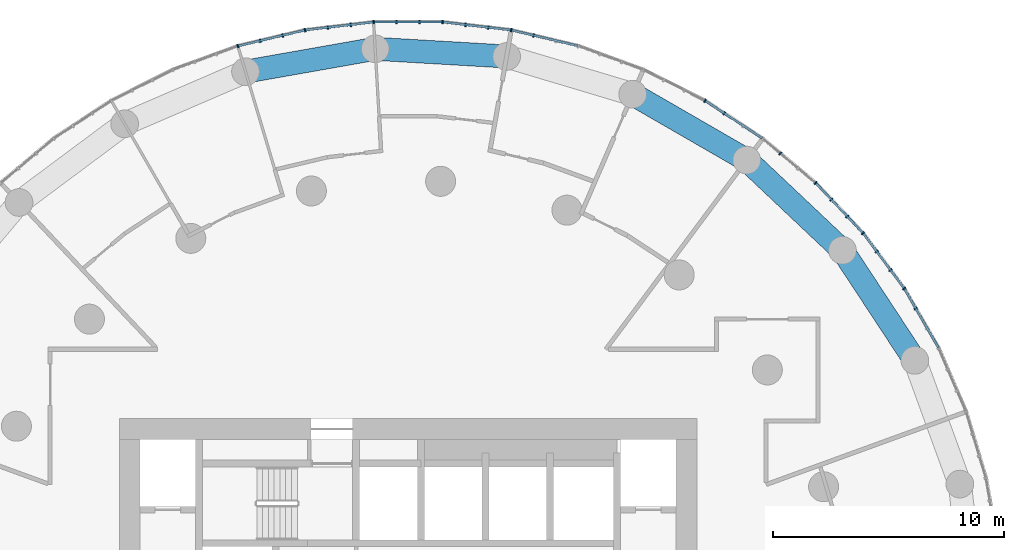
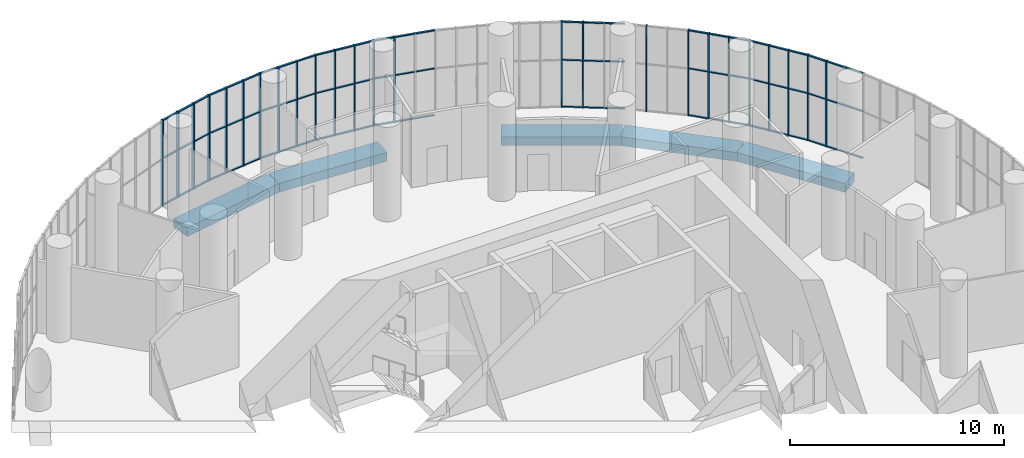
# One storey, part 8 of 21: 52 members, 5 beams, 12 elements without a shape of their own.
"""IFC4 building model written with IfcOpenShell, lengths in metres."""

from ifc_helpers import new_model, si_unit, direction, frame, origin, origin_2d, place, context, subcontext, project, spatial, rectangle, extrude, material, layer, layer_set, material_profile, profile_set, type_object, element, aggregate, save


model = new_model("IFC4")

# Units and contexts
model_context = context("Model", 3, precision=1e-05, world=origin(), true_north=direction((0.0, 1.0)))
body_context = subcontext(model_context, "Body", "Model", "MODEL_VIEW")
ifc_project = project(units=[si_unit("LENGTHUNIT", "METRE"), si_unit("AREAUNIT", "SQUARE_METRE"), si_unit("VOLUMEUNIT", "CUBIC_METRE"), si_unit("PLANEANGLEUNIT", "RADIAN"), si_unit("MASSUNIT", "GRAM", prefix="KILO")], contexts=[model_context])

# Site, building, storey
site_placement = place(None, origin())
site = spatial("IfcSite", under=ifc_project, at=site_placement, CompositionType="ELEMENT")
building_placement = place(site_placement, origin())
building = spatial("IfcBuilding", under=site, at=building_placement, Name="Tracery Tower", CompositionType="ELEMENT")
storey_placement = place(building_placement, frame((0.0, 0.0, 219.60009765625)))
storey = spatial("IfcBuildingStorey", under=building, at=storey_placement, Name="L57", CompositionType="ELEMENT", Elevation=219.60009765625)

# Beams
ifc_material_1 = material(Name="Concrete C50/60", Category="concrete")
ifc_material_profile_1 = material_profile(ifc_material_1, rectangle(XDim=1.0, YDim=0.5, at=origin_2d()), Name="RC 1000x500")
ifc_profile_set_1 = profile_set([ifc_material_profile_1], Name="Concrete C50/60")
beam_type = type_object("IfcBeamType", Name="Perimeter band beam 1000x500 under 450 slab", PredefinedType="BEAM", material=ifc_profile_set_1)
for number, where, z_axis, x_axis, name in (
    (1, (21.9365234375, 11.01708984375, -0.7001953125), (-0.549489832182, 0.835500403548, 0.0), (-0.835500403548, -0.549489832182, 0.0), "Perimeter beam 1.02 under L57"),
    (2, (18.8046875, 15.779052734375, -0.7001953125), (-0.727389618263, 0.686224703172, 0.0), (-0.686224703172, -0.727389618263, 0.0), "Perimeter beam 1.03 under L57"),
):
    element("IfcBeam", number, at=place(storey_placement, frame(where, z_axis=z_axis, x_axis=x_axis)), inside=storey, type_object=beam_type, Name=name, PredefinedType="BEAM", context=body_context, shape_type="SweptSolid", body=[
        extrude(rectangle(XDim=1.0, YDim=0.5, at=origin_2d()), origin(), (0.0, 0.0, 1.0), 5.699462890625),
    ])
beam_1_placement = place(storey_placement, frame((14.658935546875, 19.690185546875, -0.7001953125), z_axis=(-0.866022950691, 0.500004248858, 0.0), x_axis=(-0.500004248858, -0.866022950691, 0.0)))
element("IfcBeam", 3, at=beam_1_placement, inside=storey, type_object=beam_type, Name="Perimeter beam 1.04 under L57", PredefinedType="BEAM", context=body_context, shape_type="SweptSolid", body=[
    extrude(rectangle(XDim=1.0, YDim=0.5, at=origin_2d()), origin(), (0.0, 0.0, 1.0), 5.69970703125),
])
beam_2_placement = place(storey_placement, frame((4.2626953125, 24.1748046875, -0.7001953125), z_axis=(-0.99830920221, 0.058126902403, 0.0), x_axis=(-0.058126902403, -0.99830920221, 0.0)))
element("IfcBeam", 4, at=beam_2_placement, inside=storey, type_object=beam_type, Name="Perimeter beam 1.06 under L57", PredefinedType="BEAM", context=body_context, shape_type="SweptSolid", body=[
    extrude(rectangle(XDim=1.0, YDim=0.5, at=origin_2d()), origin(), (0.0, 0.0, 1.0), 5.699462890625),
])
beam_3_placement = place(storey_placement, frame((-1.42724609375, 24.506103515625, -0.7001953125), z_axis=(-0.984807266719, -0.173650935552, 0.0), x_axis=(0.173650935552, -0.984807266719, 0.0)))
element("IfcBeam", 5, at=beam_3_placement, inside=storey, type_object=beam_type, Name="Perimeter beam 1.07 under L57", PredefinedType="BEAM", context=body_context, shape_type="SweptSolid", body=[
    extrude(rectangle(XDim=1.0, YDim=0.5, at=origin_2d()), origin(), (0.0, 0.0, 1.0), 5.69970703125),
])

# Curtain wall, member
ifc_material_2 = material(Name="Aluminium curtain wall with tinted glass", Category="aluminium")
ifc_layer = layer(ifc_material_2, 0.159912109375)
ifc_layer_set = layer_set([ifc_layer], Name="Sky lounge 2 tracery curtain wall")
curtain_wall_type = type_object("IfcCurtainWallType", Name="Sky lounge 2 tracery curtain wall", PredefinedType="NOTDEFINED", material=ifc_layer_set)
curtain_wall_1_placement = place(storey_placement, origin())
curtain_wall_1 = element("IfcCurtainWall", 6, at=curtain_wall_1_placement, inside=storey, type_object=curtain_wall_type, Name="Sky lounge 2 curtain wall run 5", PredefinedType="NOTDEFINED")
ifc_material_3 = material(Name="Aluminium, bronze anodised", Category="aluminium")
ifc_material_profile_2 = material_profile(ifc_material_3, rectangle(XDim=0.159912109375, YDim=0.06005859375, at=origin_2d()), Name="AL 60x160")
ifc_profile_set_2 = profile_set([ifc_material_profile_2], Name="Aluminium, bronze anodised")
member_type_1 = type_object("IfcMemberType", Name="Sky lounge 2 mullion 60 x 160", PredefinedType="MULLION", material=ifc_profile_set_2)
member_1_placement = place(storey_placement, frame((21.9765625, 13.263427734375, 0.0), z_axis=(0.0, 0.0, 1.0), x_axis=(-0.866025403784, -0.5, 0.0)))
member_1 = element("IfcMember", 7, at=member_1_placement, type_object=member_type_1, Name="Sky lounge 2 curtain wall run 5 mullion 3", PredefinedType="MULLION", context=body_context, shape_type="SweptSolid", body=[
    extrude(rectangle(XDim=0.159912109375, YDim=0.06005859375, at=origin_2d()), origin(), (0.0, 0.0, 1.0), 4.89990234375),
])

# Curtain wall, members
curtain_wall_2_placement = place(storey_placement, origin())
curtain_wall_2 = element("IfcCurtainWall", 8, at=curtain_wall_2_placement, inside=storey, type_object=curtain_wall_type, Name="Sky lounge 2 curtain wall run 6", PredefinedType="NOTDEFINED")
member_2_placement = place(storey_placement, frame((21.478271484375, 14.12646484375, 0.0), z_axis=(0.0, 0.0, 1.0), x_axis=(-0.802123192752, -0.597158591707, 0.0)))
member_2 = element("IfcMember", 9, at=member_2_placement, type_object=member_type_1, Name="Sky lounge 2 curtain wall run 6 mullion 1", PredefinedType="MULLION", context=body_context, shape_type="SweptSolid", body=[
    extrude(rectangle(XDim=0.159912109375, YDim=0.06005859375, at=origin_2d()), origin(), (0.0, 0.0, 1.0), 4.89990234375),
])
member_3_placement = place(storey_placement, frame((20.88330078125, 14.92578125, 0.0), z_axis=(0.0, 0.0, 1.0), x_axis=(-0.802123192752, -0.597158591707, 0.0)))
member_3 = element("IfcMember", 10, at=member_3_placement, type_object=member_type_1, Name="Sky lounge 2 curtain wall run 6 mullion 2", PredefinedType="MULLION", context=body_context, shape_type="SweptSolid", body=[
    extrude(rectangle(XDim=0.159912109375, YDim=0.06005859375, at=origin_2d()), origin(), (0.0, 0.0, 1.0), 4.89990234375),
])
member_4_placement = place(storey_placement, frame((20.2880859375, 15.72509765625, 0.0), z_axis=(0.0, 0.0, 1.0), x_axis=(-0.802123192752, -0.597158591707, 0.0)))
member_4 = element("IfcMember", 11, at=member_4_placement, type_object=member_type_1, Name="Sky lounge 2 curtain wall run 6 mullion 3", PredefinedType="MULLION", context=body_context, shape_type="SweptSolid", body=[
    extrude(rectangle(XDim=0.159912109375, YDim=0.06005859375, at=origin_2d()), origin(), (0.0, 0.0, 1.0), 4.89990234375),
])

curtain_wall_3_placement = place(storey_placement, origin())
curtain_wall_3 = element("IfcCurtainWall", 12, at=curtain_wall_3_placement, inside=storey, type_object=curtain_wall_type, Name="Sky lounge 2 curtain wall run 7", PredefinedType="NOTDEFINED")
member_5_placement = place(storey_placement, frame((19.693115234375, 16.5244140625, 0.0), z_axis=(0.0, 0.0, 1.0), x_axis=(-0.727373641577, -0.686241637865, 0.0)))
member_5 = element("IfcMember", 13, at=member_5_placement, type_object=member_type_1, Name="Sky lounge 2 curtain wall run 7 mullion 1", PredefinedType="MULLION", context=body_context, shape_type="SweptSolid", body=[
    extrude(rectangle(XDim=0.159912109375, YDim=0.06005859375, at=origin_2d()), origin(), (0.0, 0.0, 1.0), 4.89990234375),
])
member_6_placement = place(storey_placement, frame((19.00927734375, 17.249267578125, 0.0), z_axis=(0.0, 0.0, 1.0), x_axis=(-0.727373641577, -0.686241637865, 0.0)))
member_6 = element("IfcMember", 14, at=member_6_placement, type_object=member_type_1, Name="Sky lounge 2 curtain wall run 7 mullion 2", PredefinedType="MULLION", context=body_context, shape_type="SweptSolid", body=[
    extrude(rectangle(XDim=0.159912109375, YDim=0.06005859375, at=origin_2d()), origin(), (0.0, 0.0, 1.0), 4.89990234375),
])
member_7_placement = place(storey_placement, frame((18.325439453125, 17.97412109375, 0.0), z_axis=(0.0, 0.0, 1.0), x_axis=(-0.727373641577, -0.686241637865, 0.0)))
member_7 = element("IfcMember", 15, at=member_7_placement, type_object=member_type_1, Name="Sky lounge 2 curtain wall run 7 mullion 3", PredefinedType="MULLION", context=body_context, shape_type="SweptSolid", body=[
    extrude(rectangle(XDim=0.159912109375, YDim=0.06005859375, at=origin_2d()), origin(), (0.0, 0.0, 1.0), 4.89990234375),
])

curtain_wall_4_placement = place(storey_placement, origin())
curtain_wall_4 = element("IfcCurtainWall", 16, at=curtain_wall_4_placement, inside=storey, type_object=curtain_wall_type, Name="Sky lounge 2 curtain wall run 8", PredefinedType="NOTDEFINED")
member_8_placement = place(storey_placement, frame((17.6416015625, 18.698974609375, 0.0), z_axis=(0.0, 0.0, 1.0), x_axis=(-0.642787609687, -0.766044443119, 0.0)))
member_8 = element("IfcMember", 17, at=member_8_placement, type_object=member_type_1, Name="Sky lounge 2 curtain wall run 8 mullion 1", PredefinedType="MULLION", context=body_context, shape_type="SweptSolid", body=[
    extrude(rectangle(XDim=0.159912109375, YDim=0.06005859375, at=origin_2d()), origin(), (0.0, 0.0, 1.0), 4.89990234375),
])
member_9_placement = place(storey_placement, frame((16.11474609375, 19.97998046875, 0.0), z_axis=(0.0, 0.0, 1.0), x_axis=(-0.642787609687, -0.766044443119, 0.0)))
member_9 = element("IfcMember", 18, at=member_9_placement, type_object=member_type_1, Name="Sky lounge 2 curtain wall run 8 mullion 3", PredefinedType="MULLION", context=body_context, shape_type="SweptSolid", body=[
    extrude(rectangle(XDim=0.159912109375, YDim=0.06005859375, at=origin_2d()), origin(), (0.0, 0.0, 1.0), 4.89990234375),
])
aggregate(curtain_wall_4, [member_8, member_9])

# Curtain wall, member
curtain_wall_5_placement = place(storey_placement, origin())
curtain_wall_5 = element("IfcCurtainWall", 19, at=curtain_wall_5_placement, inside=storey, type_object=curtain_wall_type, Name="Sky lounge 2 curtain wall run 9", PredefinedType="NOTDEFINED")
member_10_placement = place(storey_placement, frame((13.686279296875, 21.7158203125, 0.0), z_axis=(0.0, 0.0, 1.0), x_axis=(-0.549508978066, -0.835487811416, 0.0)))
member_10 = element("IfcMember", 20, at=member_10_placement, type_object=member_type_1, Name="Sky lounge 2 curtain wall run 9 mullion 3", PredefinedType="MULLION", context=body_context, shape_type="SweptSolid", body=[
    extrude(rectangle(XDim=0.159912109375, YDim=0.06005859375, at=origin_2d()), origin(), (0.0, 0.0, 1.0), 4.89990234375),
])

curtain_wall_6_placement = place(storey_placement, origin())
curtain_wall_6 = element("IfcCurtainWall", 21, at=curtain_wall_6_placement, inside=storey, type_object=curtain_wall_type, Name="Sky lounge 2 curtain wall run 10", PredefinedType="NOTDEFINED")
member_11_placement = place(storey_placement, frame((12.853759765625, 22.263427734375, 0.0), z_axis=(0.0, 0.0, 1.0), x_axis=(-0.448799180206, -0.893632640321, 0.0)))
member_11 = element("IfcMember", 22, at=member_11_placement, type_object=member_type_1, Name="Sky lounge 2 curtain wall run 10 mullion 1", PredefinedType="MULLION", context=body_context, shape_type="SweptSolid", body=[
    extrude(rectangle(XDim=0.159912109375, YDim=0.06005859375, at=origin_2d()), origin(), (0.0, 0.0, 1.0), 4.89990234375),
])
aggregate(curtain_wall_6, [member_11])

curtain_wall_7_placement = place(storey_placement, origin())
curtain_wall_7 = element("IfcCurtainWall", 23, at=curtain_wall_7_placement, inside=storey, type_object=curtain_wall_type, Name="Sky lounge 2 curtain wall run 12", PredefinedType="NOTDEFINED")
member_12_placement = place(storey_placement, frame((5.43359375, 25.087158203125, 0.0), z_axis=(0.0, 0.0, 1.0), x_axis=(-0.230615870737, -0.973044870581, 0.0)))
member_12 = element("IfcMember", 24, at=member_12_placement, type_object=member_type_1, Name="Sky lounge 2 curtain wall run 12 mullion 3", PredefinedType="MULLION", context=body_context, shape_type="SweptSolid", body=[
    extrude(rectangle(XDim=0.159912109375, YDim=0.06005859375, at=origin_2d()), origin(), (0.0, 0.0, 1.0), 4.89990234375),
])

# Curtain wall, members
curtain_wall_8_placement = place(storey_placement, origin())
curtain_wall_8 = element("IfcCurtainWall", 25, at=curtain_wall_8_placement, inside=storey, type_object=curtain_wall_type, Name="Sky lounge 2 curtain wall run 13", PredefinedType="NOTDEFINED")
member_13_placement = place(storey_placement, frame((4.464111328125, 25.31689453125, 0.0), z_axis=(0.0, 0.0, 1.0), x_axis=(-0.116092914131, -0.993238357741, 0.0)))
member_13 = element("IfcMember", 26, at=member_13_placement, type_object=member_type_1, Name="Sky lounge 2 curtain wall run 13 mullion 1", PredefinedType="MULLION", context=body_context, shape_type="SweptSolid", body=[
    extrude(rectangle(XDim=0.159912109375, YDim=0.06005859375, at=origin_2d()), origin(), (0.0, 0.0, 1.0), 4.89990234375),
])
member_14_placement = place(storey_placement, frame((3.474365234375, 25.4326171875, 0.0), z_axis=(0.0, 0.0, 1.0), x_axis=(-0.116092914131, -0.993238357741, 0.0)))
member_14 = element("IfcMember", 27, at=member_14_placement, type_object=member_type_1, Name="Sky lounge 2 curtain wall run 13 mullion 2", PredefinedType="MULLION", context=body_context, shape_type="SweptSolid", body=[
    extrude(rectangle(XDim=0.159912109375, YDim=0.06005859375, at=origin_2d()), origin(), (0.0, 0.0, 1.0), 4.89990234375),
])
member_15_placement = place(storey_placement, frame((2.484619140625, 25.54833984375, 0.0), z_axis=(0.0, 0.0, 1.0), x_axis=(-0.116092914131, -0.993238357741, 0.0)))
member_15 = element("IfcMember", 28, at=member_15_placement, type_object=member_type_1, Name="Sky lounge 2 curtain wall run 13 mullion 3", PredefinedType="MULLION", context=body_context, shape_type="SweptSolid", body=[
    extrude(rectangle(XDim=0.159912109375, YDim=0.06005859375, at=origin_2d()), origin(), (0.0, 0.0, 1.0), 4.89990234375),
])

curtain_wall_9_placement = place(storey_placement, origin())
curtain_wall_9 = element("IfcCurtainWall", 29, at=curtain_wall_9_placement, inside=storey, type_object=curtain_wall_type, Name="Sky lounge 2 curtain wall run 14", PredefinedType="NOTDEFINED")
member_16_placement = place(storey_placement, frame((1.494873046875, 25.6640625, 0.0), z_axis=(0.0, 0.0, 1.0), x_axis=(0.0, -1.0, 0.0)))
member_16 = element("IfcMember", 30, at=member_16_placement, type_object=member_type_1, Name="Sky lounge 2 curtain wall run 14 mullion 1", PredefinedType="MULLION", context=body_context, shape_type="SweptSolid", body=[
    extrude(rectangle(XDim=0.159912109375, YDim=0.06005859375, at=origin_2d()), origin(), (0.0, 0.0, 1.0), 4.89990234375),
])
member_17_placement = place(storey_placement, frame((0.498291015625, 25.6640625, 0.0), z_axis=(0.0, 0.0, 1.0), x_axis=(0.0, -1.0, 0.0)))
member_17 = element("IfcMember", 31, at=member_17_placement, type_object=member_type_1, Name="Sky lounge 2 curtain wall run 14 mullion 2", PredefinedType="MULLION", context=body_context, shape_type="SweptSolid", body=[
    extrude(rectangle(XDim=0.159912109375, YDim=0.06005859375, at=origin_2d()), origin(), (0.0, 0.0, 1.0), 4.89990234375),
])
member_18_placement = place(storey_placement, frame((-0.498291015625, 25.6640625, 0.0), z_axis=(0.0, 0.0, 1.0), x_axis=(0.0, -1.0, 0.0)))
member_18 = element("IfcMember", 32, at=member_18_placement, type_object=member_type_1, Name="Sky lounge 2 curtain wall run 14 mullion 3", PredefinedType="MULLION", context=body_context, shape_type="SweptSolid", body=[
    extrude(rectangle(XDim=0.159912109375, YDim=0.06005859375, at=origin_2d()), origin(), (0.0, 0.0, 1.0), 4.89990234375),
])

curtain_wall_10_placement = place(storey_placement, origin())
curtain_wall_10 = element("IfcCurtainWall", 33, at=curtain_wall_10_placement, inside=storey, type_object=curtain_wall_type, Name="Sky lounge 2 curtain wall run 15", PredefinedType="NOTDEFINED")
member_19_placement = place(storey_placement, frame((-1.494873046875, 25.6640625, 0.0), z_axis=(0.0, 0.0, 1.0), x_axis=(0.116092914131, -0.993238357741, 0.0)))
member_19 = element("IfcMember", 34, at=member_19_placement, type_object=member_type_1, Name="Sky lounge 2 curtain wall run 15 mullion 1", PredefinedType="MULLION", context=body_context, shape_type="SweptSolid", body=[
    extrude(rectangle(XDim=0.159912109375, YDim=0.06005859375, at=origin_2d()), origin(), (0.0, 0.0, 1.0), 4.89990234375),
])
member_20_placement = place(storey_placement, frame((-2.484619140625, 25.54833984375, 0.0), z_axis=(0.0, 0.0, 1.0), x_axis=(0.116092914131, -0.993238357741, 0.0)))
member_20 = element("IfcMember", 35, at=member_20_placement, type_object=member_type_1, Name="Sky lounge 2 curtain wall run 15 mullion 2", PredefinedType="MULLION", context=body_context, shape_type="SweptSolid", body=[
    extrude(rectangle(XDim=0.159912109375, YDim=0.06005859375, at=origin_2d()), origin(), (0.0, 0.0, 1.0), 4.89990234375),
])
member_21_placement = place(storey_placement, frame((-3.474365234375, 25.4326171875, 0.0), z_axis=(0.0, 0.0, 1.0), x_axis=(0.116092914131, -0.993238357741, 0.0)))
member_21 = element("IfcMember", 36, at=member_21_placement, type_object=member_type_1, Name="Sky lounge 2 curtain wall run 15 mullion 3", PredefinedType="MULLION", context=body_context, shape_type="SweptSolid", body=[
    extrude(rectangle(XDim=0.159912109375, YDim=0.06005859375, at=origin_2d()), origin(), (0.0, 0.0, 1.0), 4.89990234375),
])

curtain_wall_11_placement = place(storey_placement, origin())
curtain_wall_11 = element("IfcCurtainWall", 37, at=curtain_wall_11_placement, inside=storey, type_object=curtain_wall_type, Name="Sky lounge 2 curtain wall run 16", PredefinedType="NOTDEFINED")
member_22_placement = place(storey_placement, frame((-4.464111328125, 25.31689453125, 0.0), z_axis=(0.0, 0.0, 1.0), x_axis=(0.230615870737, -0.973044870581, 0.0)))
member_22 = element("IfcMember", 38, at=member_22_placement, type_object=member_type_1, Name="Sky lounge 2 curtain wall run 16 mullion 1", PredefinedType="MULLION", context=body_context, shape_type="SweptSolid", body=[
    extrude(rectangle(XDim=0.159912109375, YDim=0.06005859375, at=origin_2d()), origin(), (0.0, 0.0, 1.0), 4.89990234375),
])
member_23_placement = place(storey_placement, frame((-5.43359375, 25.087158203125, 0.0), z_axis=(0.0, 0.0, 1.0), x_axis=(0.230615870737, -0.973044870581, 0.0)))
member_23 = element("IfcMember", 39, at=member_23_placement, type_object=member_type_1, Name="Sky lounge 2 curtain wall run 16 mullion 2", PredefinedType="MULLION", context=body_context, shape_type="SweptSolid", body=[
    extrude(rectangle(XDim=0.159912109375, YDim=0.06005859375, at=origin_2d()), origin(), (0.0, 0.0, 1.0), 4.89990234375),
])
member_24_placement = place(storey_placement, frame((-6.4033203125, 24.857421875, 0.0), z_axis=(0.0, 0.0, 1.0), x_axis=(0.230615870737, -0.973044870581, 0.0)))
member_24 = element("IfcMember", 40, at=member_24_placement, type_object=member_type_1, Name="Sky lounge 2 curtain wall run 16 mullion 3", PredefinedType="MULLION", context=body_context, shape_type="SweptSolid", body=[
    extrude(rectangle(XDim=0.159912109375, YDim=0.06005859375, at=origin_2d()), origin(), (0.0, 0.0, 1.0), 4.89990234375),
])

# Curtain wall, member
curtain_wall_12_placement = place(storey_placement, origin())
curtain_wall_12 = element("IfcCurtainWall", 41, at=curtain_wall_12_placement, inside=storey, type_object=curtain_wall_type, Name="Sky lounge 2 curtain wall run 17", PredefinedType="NOTDEFINED")
member_25_placement = place(storey_placement, frame((-7.373046875, 24.62744140625, 0.0), z_axis=(0.0, 0.0, 1.0), x_axis=(0.342020143326, -0.939692620786, 0.0)))
member_25 = element("IfcMember", 42, at=member_25_placement, type_object=member_type_1, Name="Sky lounge 2 curtain wall run 17 mullion 1", PredefinedType="MULLION", context=body_context, shape_type="SweptSolid", body=[
    extrude(rectangle(XDim=0.159912109375, YDim=0.06005859375, at=origin_2d()), origin(), (0.0, 0.0, 1.0), 4.89990234375),
])
aggregate(curtain_wall_12, [member_25])

# Member
ifc_material_4 = material(Name="Aluminium, bronze anodised", Category="aluminium")
ifc_material_profile_3 = material_profile(ifc_material_4, rectangle(XDim=0.10009765625, YDim=0.06005859375, at=origin_2d()), Name="AL 60x100")
ifc_profile_set_3 = profile_set([ifc_material_profile_3], Name="Aluminium, bronze anodised")
member_type_2 = type_object("IfcMemberType", Name="Sky lounge 2 transom 60 x 100", PredefinedType="USERDEFINED", material=ifc_profile_set_3)
member_26_placement = place(storey_placement, frame((22.9580078125, 11.5634765625, 0.02978515625), z_axis=(-0.499948495998, 0.866055137592, 0.0), x_axis=(-0.866055137592, -0.499948495998, 0.0)))
member_26 = element("IfcMember", 43, at=member_26_placement, type_object=member_type_2, Name="Sky lounge 2 curtain wall run 5 transom 1", ObjectType="TRANSOM", PredefinedType="USERDEFINED", context=body_context, shape_type="SweptSolid", body=[
    extrude(rectangle(XDim=0.10009765625, YDim=0.06005859375, at=origin_2d()), origin(), (0.0, 0.0, 1.0), 2.929443359375),
])

member_27_placement = place(storey_placement, frame((22.9580078125, 11.5634765625, 2.699951171875), z_axis=(-0.499948495998, 0.866055137592, 0.0), x_axis=(-0.866055137592, -0.499948495998, 0.0)))
member_27 = element("IfcMember", 44, at=member_27_placement, type_object=member_type_2, Name="Sky lounge 2 curtain wall run 5 transom 2", ObjectType="TRANSOM", PredefinedType="USERDEFINED", context=body_context, shape_type="SweptSolid", body=[
    extrude(rectangle(XDim=0.10009765625, YDim=0.06005859375, at=origin_2d()), origin(), (0.0, 0.0, 1.0), 2.929443359375),
])

member_28_placement = place(storey_placement, frame((22.9580078125, 11.5634765625, 4.869873046875), z_axis=(-0.499948495998, 0.866055137592, 0.0), x_axis=(-0.866055137592, -0.499948495998, 0.0)))
member_28 = element("IfcMember", 45, at=member_28_placement, type_object=member_type_2, Name="Sky lounge 2 curtain wall run 5 transom 3", ObjectType="TRANSOM", PredefinedType="USERDEFINED", context=body_context, shape_type="SweptSolid", body=[
    extrude(rectangle(XDim=0.10009765625, YDim=0.06005859375, at=origin_2d()), origin(), (0.0, 0.0, 1.0), 2.929443359375),
])

aggregate(curtain_wall_1, [member_1, member_26, member_27, member_28])

member_29_placement = place(storey_placement, frame((21.46044921875, 14.150634765625, 0.02978515625), z_axis=(-0.597182879987, 0.802105110226, 0.0), x_axis=(-0.802105110226, -0.597182879987, 0.0)))
member_29 = element("IfcMember", 46, at=member_29_placement, type_object=member_type_2, Name="Sky lounge 2 curtain wall run 6 transom 1", ObjectType="TRANSOM", PredefinedType="USERDEFINED", context=body_context, shape_type="SweptSolid", body=[
    extrude(rectangle(XDim=0.10009765625, YDim=0.06005859375, at=origin_2d()), origin(), (0.0, 0.0, 1.0), 2.9296875),
])

member_30_placement = place(storey_placement, frame((21.46044921875, 14.150634765625, 2.699951171875), z_axis=(-0.597182879987, 0.802105110226, 0.0), x_axis=(-0.802105110226, -0.597182879987, 0.0)))
member_30 = element("IfcMember", 47, at=member_30_placement, type_object=member_type_2, Name="Sky lounge 2 curtain wall run 6 transom 2", ObjectType="TRANSOM", PredefinedType="USERDEFINED", context=body_context, shape_type="SweptSolid", body=[
    extrude(rectangle(XDim=0.10009765625, YDim=0.06005859375, at=origin_2d()), origin(), (0.0, 0.0, 1.0), 2.9296875),
])

member_31_placement = place(storey_placement, frame((21.46044921875, 14.150634765625, 4.869873046875), z_axis=(-0.597182879987, 0.802105110226, 0.0), x_axis=(-0.802105110226, -0.597182879987, 0.0)))
member_31 = element("IfcMember", 48, at=member_31_placement, type_object=member_type_2, Name="Sky lounge 2 curtain wall run 6 transom 3", ObjectType="TRANSOM", PredefinedType="USERDEFINED", context=body_context, shape_type="SweptSolid", body=[
    extrude(rectangle(XDim=0.10009765625, YDim=0.06005859375, at=origin_2d()), origin(), (0.0, 0.0, 1.0), 2.9296875),
])

aggregate(curtain_wall_2, [member_2, member_3, member_4, member_29, member_30, member_31])

member_32_placement = place(storey_placement, frame((19.672607421875, 16.54638671875, 0.02978515625), z_axis=(-0.686266182252, 0.727350484359, 0.0), x_axis=(-0.727350484359, -0.686266182252, 0.0)))
member_32 = element("IfcMember", 49, at=member_32_placement, type_object=member_type_2, Name="Sky lounge 2 curtain wall run 7 transom 1", ObjectType="TRANSOM", PredefinedType="USERDEFINED", context=body_context, shape_type="SweptSolid", body=[
    extrude(rectangle(XDim=0.10009765625, YDim=0.06005859375, at=origin_2d()), origin(), (0.0, 0.0, 1.0), 2.9296875),
])

member_33_placement = place(storey_placement, frame((19.672607421875, 16.54638671875, 2.699951171875), z_axis=(-0.686266182252, 0.727350484359, 0.0), x_axis=(-0.727350484359, -0.686266182252, 0.0)))
member_33 = element("IfcMember", 50, at=member_33_placement, type_object=member_type_2, Name="Sky lounge 2 curtain wall run 7 transom 2", ObjectType="TRANSOM", PredefinedType="USERDEFINED", context=body_context, shape_type="SweptSolid", body=[
    extrude(rectangle(XDim=0.10009765625, YDim=0.06005859375, at=origin_2d()), origin(), (0.0, 0.0, 1.0), 2.9296875),
])

member_34_placement = place(storey_placement, frame((19.672607421875, 16.54638671875, 4.869873046875), z_axis=(-0.686266182252, 0.727350484359, 0.0), x_axis=(-0.727350484359, -0.686266182252, 0.0)))
member_34 = element("IfcMember", 51, at=member_34_placement, type_object=member_type_2, Name="Sky lounge 2 curtain wall run 7 transom 3", ObjectType="TRANSOM", PredefinedType="USERDEFINED", context=body_context, shape_type="SweptSolid", body=[
    extrude(rectangle(XDim=0.10009765625, YDim=0.06005859375, at=origin_2d()), origin(), (0.0, 0.0, 1.0), 2.9296875),
])

aggregate(curtain_wall_3, [member_5, member_6, member_7, member_32, member_33, member_34])

member_35_placement = place(storey_placement, frame((15.326416015625, 20.63720703125, 0.02978515625), z_axis=(-0.835508711144, 0.549477200257, 0.0), x_axis=(-0.549477200257, -0.835508711144, 0.0)))
member_35 = element("IfcMember", 52, at=member_35_placement, type_object=member_type_2, Name="Sky lounge 2 curtain wall run 9 transom 1", ObjectType="TRANSOM", PredefinedType="USERDEFINED", context=body_context, shape_type="SweptSolid", body=[
    extrude(rectangle(XDim=0.10009765625, YDim=0.06005859375, at=origin_2d()), origin(), (0.0, 0.0, 1.0), 2.929443359375),
])

member_36_placement = place(storey_placement, frame((15.326416015625, 20.63720703125, 2.699951171875), z_axis=(-0.835508711144, 0.549477200257, 0.0), x_axis=(-0.549477200257, -0.835508711144, 0.0)))
member_36 = element("IfcMember", 53, at=member_36_placement, type_object=member_type_2, Name="Sky lounge 2 curtain wall run 9 transom 2", ObjectType="TRANSOM", PredefinedType="USERDEFINED", context=body_context, shape_type="SweptSolid", body=[
    extrude(rectangle(XDim=0.10009765625, YDim=0.06005859375, at=origin_2d()), origin(), (0.0, 0.0, 1.0), 2.929443359375),
])

member_37_placement = place(storey_placement, frame((15.326416015625, 20.63720703125, 4.869873046875), z_axis=(-0.835508711144, 0.549477200257, 0.0), x_axis=(-0.549477200257, -0.835508711144, 0.0)))
member_37 = element("IfcMember", 54, at=member_37_placement, type_object=member_type_2, Name="Sky lounge 2 curtain wall run 9 transom 3", ObjectType="TRANSOM", PredefinedType="USERDEFINED", context=body_context, shape_type="SweptSolid", body=[
    extrude(rectangle(XDim=0.10009765625, YDim=0.06005859375, at=origin_2d()), origin(), (0.0, 0.0, 1.0), 2.929443359375),
])

aggregate(curtain_wall_5, [member_10, member_35, member_36, member_37])

member_38_placement = place(storey_placement, frame((7.34375, 24.634521484375, 0.02978515625), z_axis=(-0.973049785609, 0.230595131619, 0.0), x_axis=(-0.230595131619, -0.973049785609, 0.0)))
member_38 = element("IfcMember", 55, at=member_38_placement, type_object=member_type_2, Name="Sky lounge 2 curtain wall run 12 transom 1", ObjectType="TRANSOM", PredefinedType="USERDEFINED", context=body_context, shape_type="SweptSolid", body=[
    extrude(rectangle(XDim=0.10009765625, YDim=0.06005859375, at=origin_2d()), origin(), (0.0, 0.0, 1.0), 2.929443359375),
])

member_39_placement = place(storey_placement, frame((7.34375, 24.634521484375, 2.699951171875), z_axis=(-0.973049785609, 0.230595131619, 0.0), x_axis=(-0.230595131619, -0.973049785609, 0.0)))
member_39 = element("IfcMember", 56, at=member_39_placement, type_object=member_type_2, Name="Sky lounge 2 curtain wall run 12 transom 2", ObjectType="TRANSOM", PredefinedType="USERDEFINED", context=body_context, shape_type="SweptSolid", body=[
    extrude(rectangle(XDim=0.10009765625, YDim=0.06005859375, at=origin_2d()), origin(), (0.0, 0.0, 1.0), 2.929443359375),
])

member_40_placement = place(storey_placement, frame((7.34375, 24.634521484375, 4.869873046875), z_axis=(-0.973049785609, 0.230595131619, 0.0), x_axis=(-0.230595131619, -0.973049785609, 0.0)))
member_40 = element("IfcMember", 57, at=member_40_placement, type_object=member_type_2, Name="Sky lounge 2 curtain wall run 12 transom 3", ObjectType="TRANSOM", PredefinedType="USERDEFINED", context=body_context, shape_type="SweptSolid", body=[
    extrude(rectangle(XDim=0.10009765625, YDim=0.06005859375, at=origin_2d()), origin(), (0.0, 0.0, 1.0), 2.929443359375),
])

aggregate(curtain_wall_7, [member_12, member_38, member_39, member_40])

member_41_placement = place(storey_placement, frame((4.434326171875, 25.320556640625, 0.02978515625), z_axis=(-0.993238496271, 0.116091728923, 0.0), x_axis=(-0.116091728923, -0.993238496271, 0.0)))
member_41 = element("IfcMember", 58, at=member_41_placement, type_object=member_type_2, Name="Sky lounge 2 curtain wall run 13 transom 1", ObjectType="TRANSOM", PredefinedType="USERDEFINED", context=body_context, shape_type="SweptSolid", body=[
    extrude(rectangle(XDim=0.10009765625, YDim=0.06005859375, at=origin_2d()), origin(), (0.0, 0.0, 1.0), 2.929443359375),
])

member_42_placement = place(storey_placement, frame((4.434326171875, 25.320556640625, 2.699951171875), z_axis=(-0.993238496271, 0.116091728923, 0.0), x_axis=(-0.116091728923, -0.993238496271, 0.0)))
member_42 = element("IfcMember", 59, at=member_42_placement, type_object=member_type_2, Name="Sky lounge 2 curtain wall run 13 transom 2", ObjectType="TRANSOM", PredefinedType="USERDEFINED", context=body_context, shape_type="SweptSolid", body=[
    extrude(rectangle(XDim=0.10009765625, YDim=0.06005859375, at=origin_2d()), origin(), (0.0, 0.0, 1.0), 2.929443359375),
])

member_43_placement = place(storey_placement, frame((4.434326171875, 25.320556640625, 4.869873046875), z_axis=(-0.993238496271, 0.116091728923, 0.0), x_axis=(-0.116091728923, -0.993238496271, 0.0)))
member_43 = element("IfcMember", 60, at=member_43_placement, type_object=member_type_2, Name="Sky lounge 2 curtain wall run 13 transom 3", ObjectType="TRANSOM", PredefinedType="USERDEFINED", context=body_context, shape_type="SweptSolid", body=[
    extrude(rectangle(XDim=0.10009765625, YDim=0.06005859375, at=origin_2d()), origin(), (0.0, 0.0, 1.0), 2.929443359375),
])

aggregate(curtain_wall_8, [member_13, member_14, member_15, member_41, member_42, member_43])

member_44_placement = place(storey_placement, frame((1.46484375, 25.6640625, 0.02978515625), z_axis=(-1.0, 0.0, 0.0), x_axis=(0.0, -1.0, 0.0)))
member_44 = element("IfcMember", 61, at=member_44_placement, type_object=member_type_2, Name="Sky lounge 2 curtain wall run 14 transom 1", ObjectType="TRANSOM", PredefinedType="USERDEFINED", context=body_context, shape_type="SweptSolid", body=[
    extrude(rectangle(XDim=0.10009765625, YDim=0.06005859375, at=origin_2d()), origin(), (0.0, 0.0, 1.0), 2.9296875),
])

member_45_placement = place(storey_placement, frame((1.46484375, 25.6640625, 2.699951171875), z_axis=(-1.0, 0.0, 0.0), x_axis=(0.0, -1.0, 0.0)))
member_45 = element("IfcMember", 62, at=member_45_placement, type_object=member_type_2, Name="Sky lounge 2 curtain wall run 14 transom 2", ObjectType="TRANSOM", PredefinedType="USERDEFINED", context=body_context, shape_type="SweptSolid", body=[
    extrude(rectangle(XDim=0.10009765625, YDim=0.06005859375, at=origin_2d()), origin(), (0.0, 0.0, 1.0), 2.9296875),
])

member_46_placement = place(storey_placement, frame((1.46484375, 25.6640625, 4.869873046875), z_axis=(-1.0, 0.0, 0.0), x_axis=(0.0, -1.0, 0.0)))
member_46 = element("IfcMember", 63, at=member_46_placement, type_object=member_type_2, Name="Sky lounge 2 curtain wall run 14 transom 3", ObjectType="TRANSOM", PredefinedType="USERDEFINED", context=body_context, shape_type="SweptSolid", body=[
    extrude(rectangle(XDim=0.10009765625, YDim=0.06005859375, at=origin_2d()), origin(), (0.0, 0.0, 1.0), 2.9296875),
])

aggregate(curtain_wall_9, [member_16, member_17, member_18, member_44, member_45, member_46])

member_47_placement = place(storey_placement, frame((-1.524658203125, 25.66064453125, 0.02978515625), z_axis=(-0.993238496271, -0.116091728923, 0.0), x_axis=(0.116091728923, -0.993238496271, 0.0)))
member_47 = element("IfcMember", 64, at=member_47_placement, type_object=member_type_2, Name="Sky lounge 2 curtain wall run 15 transom 1", ObjectType="TRANSOM", PredefinedType="USERDEFINED", context=body_context, shape_type="SweptSolid", body=[
    extrude(rectangle(XDim=0.10009765625, YDim=0.06005859375, at=origin_2d()), origin(), (0.0, 0.0, 1.0), 2.929443359375),
])

member_48_placement = place(storey_placement, frame((-1.524658203125, 25.66064453125, 2.699951171875), z_axis=(-0.993238496271, -0.116091728923, 0.0), x_axis=(0.116091728923, -0.993238496271, 0.0)))
member_48 = element("IfcMember", 65, at=member_48_placement, type_object=member_type_2, Name="Sky lounge 2 curtain wall run 15 transom 2", ObjectType="TRANSOM", PredefinedType="USERDEFINED", context=body_context, shape_type="SweptSolid", body=[
    extrude(rectangle(XDim=0.10009765625, YDim=0.06005859375, at=origin_2d()), origin(), (0.0, 0.0, 1.0), 2.929443359375),
])

member_49_placement = place(storey_placement, frame((-1.524658203125, 25.66064453125, 4.869873046875), z_axis=(-0.993238496271, -0.116091728923, 0.0), x_axis=(0.116091728923, -0.993238496271, 0.0)))
member_49 = element("IfcMember", 66, at=member_49_placement, type_object=member_type_2, Name="Sky lounge 2 curtain wall run 15 transom 3", ObjectType="TRANSOM", PredefinedType="USERDEFINED", context=body_context, shape_type="SweptSolid", body=[
    extrude(rectangle(XDim=0.10009765625, YDim=0.06005859375, at=origin_2d()), origin(), (0.0, 0.0, 1.0), 2.929443359375),
])

aggregate(curtain_wall_10, [member_19, member_20, member_21, member_47, member_48, member_49])

member_50_placement = place(storey_placement, frame((-4.4931640625, 25.31005859375, 0.02978515625), z_axis=(-0.973049785609, -0.230595131619, 0.0), x_axis=(0.230595131619, -0.973049785609, 0.0)))
member_50 = element("IfcMember", 67, at=member_50_placement, type_object=member_type_2, Name="Sky lounge 2 curtain wall run 16 transom 1", ObjectType="TRANSOM", PredefinedType="USERDEFINED", context=body_context, shape_type="SweptSolid", body=[
    extrude(rectangle(XDim=0.10009765625, YDim=0.06005859375, at=origin_2d()), origin(), (0.0, 0.0, 1.0), 2.929443359375),
])

member_51_placement = place(storey_placement, frame((-4.4931640625, 25.31005859375, 2.699951171875), z_axis=(-0.973049785609, -0.230595131619, 0.0), x_axis=(0.230595131619, -0.973049785609, 0.0)))
member_51 = element("IfcMember", 68, at=member_51_placement, type_object=member_type_2, Name="Sky lounge 2 curtain wall run 16 transom 2", ObjectType="TRANSOM", PredefinedType="USERDEFINED", context=body_context, shape_type="SweptSolid", body=[
    extrude(rectangle(XDim=0.10009765625, YDim=0.06005859375, at=origin_2d()), origin(), (0.0, 0.0, 1.0), 2.929443359375),
])

member_52_placement = place(storey_placement, frame((-4.4931640625, 25.31005859375, 4.869873046875), z_axis=(-0.973049785609, -0.230595131619, 0.0), x_axis=(0.230595131619, -0.973049785609, 0.0)))
member_52 = element("IfcMember", 69, at=member_52_placement, type_object=member_type_2, Name="Sky lounge 2 curtain wall run 16 transom 3", ObjectType="TRANSOM", PredefinedType="USERDEFINED", context=body_context, shape_type="SweptSolid", body=[
    extrude(rectangle(XDim=0.10009765625, YDim=0.06005859375, at=origin_2d()), origin(), (0.0, 0.0, 1.0), 2.929443359375),
])

aggregate(curtain_wall_11, [member_22, member_23, member_24, member_50, member_51, member_52])

save(model, "model.ifc")
